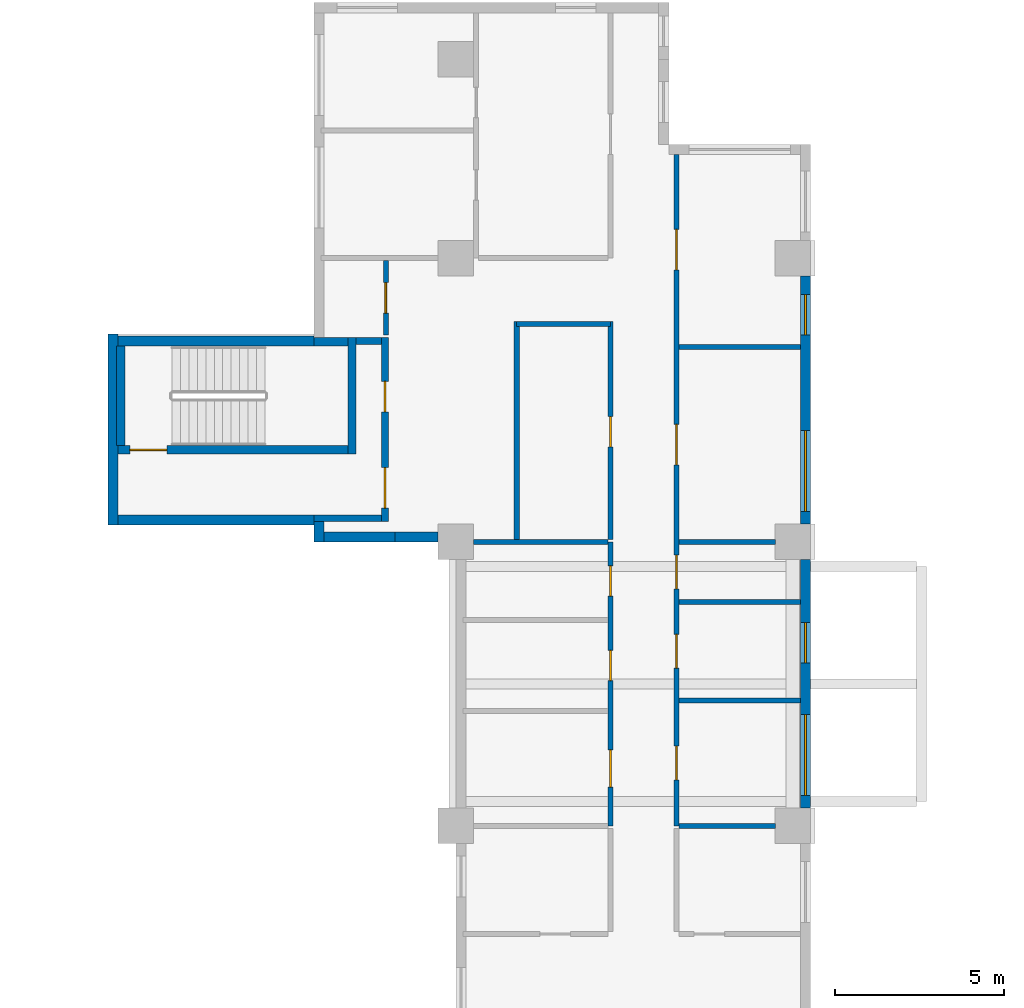
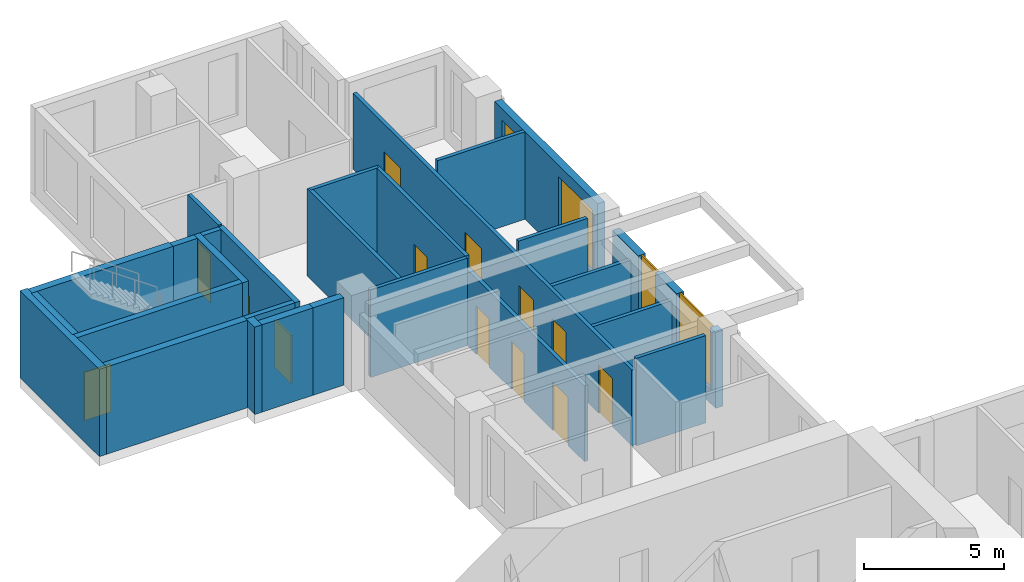
# One storey, part 6 of 14: 27 walls, 13 doors, 4 windows, 17 openings.
"""IFC4 building model written with IfcOpenShell, lengths in metres."""

from ifc_helpers import new_model, si_unit, direction, frame, frame_2d, origin, place, context, subcontext, project, spatial, rectangle, extrude, source, transform, mapped, material, layer, layer_set, type_object, element, fill, save


model = new_model("IFC4")

# Units and contexts
model_context = context("Model", 3, precision=1e-05, world=origin(), true_north=direction((0.0, 1.0)))
body_context = subcontext(model_context, "Body", "Model", "MODEL_VIEW")
ifc_project = project(units=[si_unit("LENGTHUNIT", "METRE"), si_unit("AREAUNIT", "SQUARE_METRE"), si_unit("VOLUMEUNIT", "CUBIC_METRE"), si_unit("PLANEANGLEUNIT", "RADIAN"), si_unit("MASSUNIT", "GRAM", prefix="KILO")], contexts=[model_context])

# Site, building, storey
site_placement = place(None, origin())
site = spatial("IfcSite", under=ifc_project, at=site_placement, CompositionType="ELEMENT")
building_placement = place(site_placement, origin())
building = spatial("IfcBuilding", under=site, at=building_placement, Name="Aurelian Terraces", CompositionType="ELEMENT")
storey_placement = place(building_placement, frame((0.0, 0.0, 128.7)))
storey = spatial("IfcBuildingStorey", under=building, at=storey_placement, Name="L28", CompositionType="ELEMENT", Elevation=128.7)

# Wall, openings, windows
ifc_material_1 = material(Name="Terracotta rainscreen cladding", Category="masonry")
ifc_layer_1 = layer(ifc_material_1, 0.3)
ifc_layer_set_1 = layer_set([ifc_layer_1], Name="EW-300")
wall_type_1 = type_object("IfcWallType", Name="EW-300", PredefinedType="STANDARD", material=ifc_layer_set_1)
shared_shape_1 = source(origin(), body_context, "Body", "SweptSolid", [
    extrude(rectangle(XDim=7.35, YDim=0.3, at=frame_2d((3.675, 0.0))), origin(), (0.0, 0.0, 1.0), 3.8),
])
wall_1_placement = place(storey_placement, frame((20.85, 38.325, 0.0), z_axis=(0.0, 0.0, 1.0), x_axis=(0.0, 1.0, 0.0)))
wall_1 = element("IfcWall", 1, at=wall_1_placement, inside=storey, type_object=wall_type_1, Name="External wall L28 F08.27", PredefinedType="STANDARD", context=body_context, shape_type="MappedRepresentation", body=[
    mapped(shared_shape_1, transform((0.0, 0.0, 0.0), scale=1.0)),
])
shared_shape_2 = source(origin(), body_context, "Body", "SweptSolid", [
    extrude(rectangle(XDim=2.4, YDim=2.7, at=frame_2d((1.2, 1.35))), frame((0.0, 0.16, 0.0), z_axis=(0.0, -1.0, 0.0), x_axis=(1.0, 0.0, 0.0)), (0.0, 0.0, 1.0), 0.32),
])
opening_1_placement = place(wall_1_placement, frame((0.375, 0.0, 0.6)))
opening_1 = element("IfcOpeningElement", 2, at=opening_1_placement, cuts=wall_1, Name="Opening W2427", PredefinedType="OPENING", context=body_context, shape_type="MappedRepresentation", body=[
    mapped(shared_shape_2, transform((0.0, 0.0, 0.0), scale=1.0)),
])
shared_shape_3 = source(origin(), body_context, "Body", "SweptSolid", [
    extrude(rectangle(XDim=1.2, YDim=2.7, at=frame_2d((0.6, 1.35))), frame((0.0, 0.16, 0.0), z_axis=(0.0, -1.0, 0.0), x_axis=(1.0, 0.0, 0.0)), (0.0, 0.0, 1.0), 0.32),
])
opening_2_placement = place(wall_1_placement, frame((5.5965, 0.0, 0.6)))
opening_2 = element("IfcOpeningElement", 3, at=opening_2_placement, cuts=wall_1, Name="Opening W1227", PredefinedType="OPENING", context=body_context, shape_type="MappedRepresentation", body=[
    mapped(shared_shape_3, transform((0.0, 0.0, 0.0), scale=1.0)),
])
ifc_material_2 = material(Name="Clear glazing", Category="glass")
window_type_1 = type_object("IfcWindowType", Name="W-2400x2700", PartitioningType="SINGLE_PANEL", PredefinedType="WINDOW", material=ifc_material_2)
shared_shape_4 = source(origin(), body_context, "Body", "SweptSolid", [
    extrude(rectangle(XDim=2.4, YDim=2.7, at=frame_2d((1.2, 1.35))), frame((0.0, 0.03, 0.0), z_axis=(0.0, -1.0, 0.0), x_axis=(1.0, 0.0, 0.0)), (0.0, 0.0, 1.0), 0.06),
])
window_1_placement = place(opening_1_placement, origin())
window_1 = element("IfcWindow", 4, at=window_1_placement, inside=storey, type_object=window_type_1, Name="Window L28 L28-F08-27-0", OverallHeight=2.7, OverallWidth=2.4, PartitioningType="SINGLE_PANEL", PredefinedType="WINDOW", context=body_context, shape_type="MappedRepresentation", body=[
    mapped(shared_shape_4, transform((0.0, 0.0, 0.0), scale=1.0)),
])
fill(opening_1, window_1)
window_type_2 = type_object("IfcWindowType", Name="W-1200x2700", PartitioningType="SINGLE_PANEL", PredefinedType="WINDOW", material=ifc_material_2)
shared_shape_5 = source(origin(), body_context, "Body", "SweptSolid", [
    extrude(rectangle(XDim=1.2, YDim=2.7, at=frame_2d((0.6, 1.35))), frame((0.0, 0.03, 0.0), z_axis=(0.0, -1.0, 0.0), x_axis=(1.0, 0.0, 0.0)), (0.0, 0.0, 1.0), 0.06),
])
window_2_placement = place(opening_2_placement, origin())
window_2 = element("IfcWindow", 5, at=window_2_placement, inside=storey, type_object=window_type_2, Name="Window L28 L28-F08-27-1", OverallHeight=2.7, OverallWidth=1.2, PartitioningType="SINGLE_PANEL", PredefinedType="WINDOW", context=body_context, shape_type="MappedRepresentation", body=[
    mapped(shared_shape_5, transform((0.0, 0.0, 0.0), scale=1.0)),
])
fill(opening_2, window_2)

# Walls
ifc_material_3 = material(Name="Concrete fc' 40 MPa", Category="concrete")
ifc_layer_2 = layer(ifc_material_3, 0.3)
ifc_layer_set_2 = layer_set([ifc_layer_2], Name="STAIR BAY WALL 300")
wall_type_2 = type_object("IfcWallType", Name="STAIR BAY WALL 300", PredefinedType="SOLIDWALL", material=ifc_layer_set_2)
shared_shape_6 = source(origin(), body_context, "Body", "SweptSolid", [
    extrude(rectangle(XDim=6.1, YDim=0.3, at=frame_2d((3.05, 0.0))), origin(), (0.0, 0.0, 1.0), 3.8),
])
for number, where, z_axis, x_axis, name in (
    (6, (6.3, 43.75, 0.0), (0.0, 0.0, 1.0), (-1.0, 0.0, 0.0), "Stair bay wall L28 F13.34"),
    (7, (0.2, 38.45, 0.0), (0.0, 0.0, 1.0), (1.0, 0.0, 0.0), "Stair bay wall L28 F15.36"),
):
    element("IfcWall", number, at=place(storey_placement, frame(where, z_axis=z_axis, x_axis=x_axis)), inside=storey, type_object=wall_type_2, Name=name, PredefinedType="SOLIDWALL", context=body_context, shape_type="MappedRepresentation", body=[
        mapped(shared_shape_6, transform((0.0, 0.0, 0.0), scale=1.0)),
    ])
shared_shape_7 = source(origin(), body_context, "Body", "SweptSolid", [
    extrude(rectangle(XDim=5.65, YDim=0.3, at=frame_2d((2.825, 0.0))), origin(), (0.0, 0.0, 1.0), 3.8),
])
wall_2_placement = place(storey_placement, frame((0.35, 43.95, 0.0), z_axis=(0.0, 0.0, 1.0), x_axis=(0.0, -1.0, 0.0)))
element("IfcWall", 8, at=wall_2_placement, inside=storey, type_object=wall_type_2, Name="Stair bay wall L28 F14.35", PredefinedType="SOLIDWALL", context=body_context, shape_type="MappedRepresentation", body=[
    mapped(shared_shape_7, transform((0.0, 0.0, 0.0), scale=1.0)),
])

# Wall, openings, windows
shared_shape_8 = source(origin(), body_context, "Body", "SweptSolid", [
    extrude(rectangle(XDim=7.35, YDim=0.3, at=frame_2d((3.675, 0.0))), origin(), (0.0, 0.0, 1.0), 3.3),
])
wall_3_placement = place(storey_placement, frame((20.85, 29.925, 0.0), z_axis=(0.0, 0.0, 1.0), x_axis=(0.0, 1.0, 0.0)))
wall_3 = element("IfcWall", 9, at=wall_3_placement, inside=storey, type_object=wall_type_1, Name="External wall L28 F08.26", PredefinedType="STANDARD", context=body_context, shape_type="MappedRepresentation", body=[
    mapped(shared_shape_8, transform((0.0, 0.0, 0.0), scale=1.0)),
])
opening_3_placement = place(wall_3_placement, frame((0.375, 0.0, 0.6)))
opening_3 = element("IfcOpeningElement", 10, at=opening_3_placement, cuts=wall_3, Name="Opening W2427", PredefinedType="OPENING", context=body_context, shape_type="MappedRepresentation", body=[
    mapped(shared_shape_2, transform((0.0, 0.0, 0.0), scale=1.0)),
])
opening_4_placement = place(wall_3_placement, frame((4.2933, 0.0, 0.6)))
opening_4 = element("IfcOpeningElement", 11, at=opening_4_placement, cuts=wall_3, Name="Opening W1227", PredefinedType="OPENING", context=body_context, shape_type="MappedRepresentation", body=[
    mapped(shared_shape_3, transform((0.0, 0.0, 0.0), scale=1.0)),
])
window_3_placement = place(opening_3_placement, origin())
window_3 = element("IfcWindow", 12, at=window_3_placement, inside=storey, type_object=window_type_1, Name="Window L28 L28-F08-26-0", OverallHeight=2.7, OverallWidth=2.4, PartitioningType="SINGLE_PANEL", PredefinedType="WINDOW", context=body_context, shape_type="MappedRepresentation", body=[
    mapped(shared_shape_4, transform((0.0, 0.0, 0.0), scale=1.0)),
])
fill(opening_3, window_3)
window_4_placement = place(opening_4_placement, origin())
window_4 = element("IfcWindow", 13, at=window_4_placement, inside=storey, type_object=window_type_2, Name="Window L28 L28-F08-26-G0-33", OverallHeight=2.7, OverallWidth=1.2, PartitioningType="SINGLE_PANEL", PredefinedType="WINDOW", context=body_context, shape_type="MappedRepresentation", body=[
    mapped(shared_shape_5, transform((0.0, 0.0, 0.0), scale=1.0)),
])
fill(opening_4, window_4)

# Walls
shared_shape_9 = source(origin(), body_context, "Body", "SweptSolid", [
    extrude(rectangle(XDim=0.6, YDim=0.3, at=frame_2d((0.3, 0.0))), origin(), (0.0, 0.0, 1.0), 3.8),
])
wall_4_placement = place(storey_placement, frame((6.45, 38.4, 0.0), z_axis=(0.0, 0.0, 1.0), x_axis=(0.0, -1.0, 0.0)))
element("IfcWall", 14, at=wall_4_placement, inside=storey, type_object=wall_type_1, Name="External wall L28 F16.37", PredefinedType="STANDARD", context=body_context, shape_type="MappedRepresentation", body=[
    mapped(shared_shape_9, transform((0.0, 0.0, 0.0), scale=1.0)),
])
shared_shape_10 = source(origin(), body_context, "Body", "SweptSolid", [
    extrude(rectangle(XDim=2.1, YDim=0.3, at=frame_2d((1.05, 0.0))), origin(), (0.0, 0.0, 1.0), 3.8),
])
wall_5_placement = place(storey_placement, frame((6.6, 37.95, 0.0), z_axis=(0.0, 0.0, 1.0), x_axis=(1.0, 0.0, 0.0)))
element("IfcWall", 15, at=wall_5_placement, inside=storey, type_object=wall_type_2, Name="Stair bay wall L28 F17.38", PredefinedType="SOLIDWALL", context=body_context, shape_type="MappedRepresentation", body=[
    mapped(shared_shape_10, transform((0.0, 0.0, 0.0), scale=1.0)),
])
shared_shape_11 = source(origin(), body_context, "Body", "SweptSolid", [
    extrude(rectangle(XDim=1.275, YDim=0.3, at=frame_2d((0.6375, 0.0))), origin(), (0.0, 0.0, 1.0), 3.8),
])
wall_6_placement = place(storey_placement, frame((8.7, 37.95, 0.0), z_axis=(0.0, 0.0, 1.0), x_axis=(1.0, 0.0, 0.0)))
element("IfcWall", 16, at=wall_6_placement, inside=storey, type_object=wall_type_1, Name="External wall L28 F17.38", PredefinedType="STANDARD", context=body_context, shape_type="MappedRepresentation", body=[
    mapped(shared_shape_11, transform((0.0, 0.0, 0.0), scale=1.0)),
])

# Wall, opening, door
ifc_layer_3 = layer(ifc_material_3, 0.25)
ifc_layer_set_3 = layer_set([ifc_layer_3], Name="Stair enclosure wall 250")
wall_type_3 = type_object("IfcWallType", Name="Stair enclosure wall 250", PredefinedType="SOLIDWALL", material=ifc_layer_set_3)
shared_shape_12 = source(origin(), body_context, "Body", "SweptSolid", [
    extrude(rectangle(XDim=7.0, YDim=0.25, at=frame_2d((3.5, 0.0))), origin(), (0.0, 0.0, 1.0), 3.8),
])
wall_7_placement = place(storey_placement, frame((0.3, 40.525, 0.0), z_axis=(0.0, 0.0, 1.0), x_axis=(1.0, 0.0, 0.0)))
wall_7 = element("IfcWall", 17, at=wall_7_placement, inside=storey, type_object=wall_type_3, Name="L28 core wall ST-S3-W", PredefinedType="SOLIDWALL", context=body_context, shape_type="MappedRepresentation", body=[
    mapped(shared_shape_12, transform((0.0, 0.0, 0.0), scale=1.0)),
])
shared_shape_13 = source(origin(), body_context, "Body", "SweptSolid", [
    extrude(rectangle(XDim=1.1, YDim=2.1, at=frame_2d((0.55, 1.05))), frame((0.0, 0.135, 0.0), z_axis=(0.0, -1.0, 0.0), x_axis=(1.0, 0.0, 0.0)), (0.0, 0.0, 1.0), 0.27),
])
opening_5_placement = place(wall_7_placement, frame((0.55, 0.0, 0.0)))
opening_5 = element("IfcOpeningElement", 18, at=opening_5_placement, cuts=wall_7, Name="Opening 63117", PredefinedType="OPENING", context=body_context, shape_type="MappedRepresentation", body=[
    mapped(shared_shape_13, transform((0.0, 0.0, 0.0), scale=1.0)),
])
ifc_material_4 = material(Name="Steel door leaf", Category="steel")
door_type_1 = type_object("IfcDoorType", Name="Core fire door 1100x2100", OperationType="SINGLE_SWING_LEFT", PredefinedType="DOOR", material=ifc_material_4)
shared_shape_14 = source(origin(), body_context, "Body", "SweptSolid", [
    extrude(rectangle(XDim=1.1, YDim=2.1, at=frame_2d((0.55, 1.05))), frame((0.0, 0.025, 0.0), z_axis=(0.0, -1.0, 0.0), x_axis=(1.0, 0.0, 0.0)), (0.0, 0.0, 1.0), 0.05),
])
door_1_placement = place(opening_5_placement, origin())
door_1 = element("IfcDoor", 19, at=door_1_placement, inside=storey, type_object=door_type_1, Name="Stair door 63117", OperationType="SINGLE_SWING_LEFT", OverallHeight=2.1, OverallWidth=1.1, PredefinedType="DOOR", context=body_context, shape_type="MappedRepresentation", body=[
    mapped(shared_shape_14, transform((0.0, 0.0, 0.0), scale=1.0)),
])
fill(opening_5, door_1)

# Walls
shared_shape_15 = source(origin(), body_context, "Body", "SweptSolid", [
    extrude(rectangle(XDim=3.45, YDim=0.25, at=frame_2d((1.725, 0.0))), origin(), (0.0, 0.0, 1.0), 3.8),
])
wall_8_placement = place(storey_placement, frame((7.425, 40.4, 0.0), z_axis=(0.0, 0.0, 1.0), x_axis=(0.0, 1.0, 0.0)))
element("IfcWall", 20, at=wall_8_placement, inside=storey, type_object=wall_type_3, Name="L28 core wall ST-S3-N", PredefinedType="SOLIDWALL", context=body_context, shape_type="MappedRepresentation", body=[
    mapped(shared_shape_15, transform((0.0, 0.0, 0.0), scale=1.0)),
])
shared_shape_16 = source(origin(), body_context, "Body", "SweptSolid", [
    extrude(rectangle(XDim=2.95, YDim=0.25, at=frame_2d((1.475, 0.0))), origin(), (0.0, 0.0, 1.0), 3.8),
])
wall_9_placement = place(storey_placement, frame((0.575, 40.65, 0.0), z_axis=(0.0, 0.0, 1.0), x_axis=(0.0, 1.0, 0.0)))
element("IfcWall", 21, at=wall_9_placement, inside=storey, type_object=wall_type_3, Name="L28 core wall ST-S3-SS", PredefinedType="SOLIDWALL", context=body_context, shape_type="MappedRepresentation", body=[
    mapped(shared_shape_16, transform((0.0, 0.0, 0.0), scale=1.0)),
])

# Wall, openings, doors
ifc_material_5 = material(Name="Gypsum board on steel studs", Category="steel")
ifc_layer_4 = layer(ifc_material_5, 0.2)
ifc_layer_set_4 = layer_set([ifc_layer_4], Name="Core partition 200")
wall_type_4 = type_object("IfcWallType", Name="Core partition 200", PredefinedType="PARTITIONING", material=ifc_layer_set_4)
shared_shape_17 = source(origin(), body_context, "Body", "SweptSolid", [
    extrude(rectangle(XDim=5.45, YDim=0.2, at=frame_2d((2.725, 0.0))), origin(), (0.0, 0.0, 1.0), 3.8),
])
wall_10_placement = place(storey_placement, frame((8.4, 38.4, 0.0), z_axis=(0.0, 0.0, 1.0), x_axis=(0.0, 1.0, 0.0)))
wall_10 = element("IfcWall", 22, at=wall_10_placement, inside=storey, type_object=wall_type_4, Name="L28 core wall ST-S3-BN", PredefinedType="PARTITIONING", context=body_context, shape_type="MappedRepresentation", body=[
    mapped(shared_shape_17, transform((0.0, 0.0, 0.0), scale=1.0)),
])
shared_shape_18 = source(origin(), body_context, "Body", "SweptSolid", [
    extrude(rectangle(XDim=1.2, YDim=2.1, at=frame_2d((0.6, 1.05))), frame((0.0, 0.11, 0.0), z_axis=(0.0, -1.0, 0.0), x_axis=(1.0, 0.0, 0.0)), (0.0, 0.0, 1.0), 0.22),
])
opening_6_placement = place(wall_10_placement, frame((0.4, 0.0, 0.0)))
opening_6 = element("IfcOpeningElement", 23, at=opening_6_placement, cuts=wall_10, Name="Opening 63118", PredefinedType="OPENING", context=body_context, shape_type="MappedRepresentation", body=[
    mapped(shared_shape_18, transform((0.0, 0.0, 0.0), scale=1.0)),
])
shared_shape_19 = source(origin(), body_context, "Body", "SweptSolid", [
    extrude(rectangle(XDim=0.9, YDim=2.1, at=frame_2d((0.45, 1.05))), frame((0.0, 0.11, 0.0), z_axis=(0.0, -1.0, 0.0), x_axis=(1.0, 0.0, 0.0)), (0.0, 0.0, 1.0), 0.22),
])
opening_7_placement = place(wall_10_placement, frame((3.25, 0.0, 0.0)))
opening_7 = element("IfcOpeningElement", 24, at=opening_7_placement, cuts=wall_10, Name="Opening 63119", PredefinedType="OPENING", context=body_context, shape_type="MappedRepresentation", body=[
    mapped(shared_shape_19, transform((0.0, 0.0, 0.0), scale=1.0)),
])
door_type_2 = type_object("IfcDoorType", Name="Core riser door 900x2100", OperationType="SINGLE_SWING_LEFT", PredefinedType="DOOR", material=ifc_material_4)
shared_shape_20 = source(origin(), body_context, "Body", "SweptSolid", [
    extrude(rectangle(XDim=0.9, YDim=2.1, at=frame_2d((0.45, 1.05))), frame((0.0, 0.025, 0.0), z_axis=(0.0, -1.0, 0.0), x_axis=(1.0, 0.0, 0.0)), (0.0, 0.0, 1.0), 0.05),
])
door_2_placement = place(opening_7_placement, origin())
door_2 = element("IfcDoor", 25, at=door_2_placement, inside=storey, type_object=door_type_2, Name="Riser door 63119", OperationType="SINGLE_SWING_LEFT", OverallHeight=2.1, OverallWidth=0.9, PredefinedType="DOOR", context=body_context, shape_type="MappedRepresentation", body=[
    mapped(shared_shape_20, transform((0.0, 0.0, 0.0), scale=1.0)),
])
fill(opening_7, door_2)
door_type_3 = type_object("IfcDoorType", Name="Core fire door 1200x2100 right", OperationType="SINGLE_SWING_RIGHT", PredefinedType="DOOR", material=ifc_material_4)
shared_shape_21 = source(origin(), body_context, "Body", "SweptSolid", [
    extrude(rectangle(XDim=1.2, YDim=2.1, at=frame_2d((0.6, 1.05))), frame((0.0, 0.025, 0.0), z_axis=(0.0, -1.0, 0.0), x_axis=(1.0, 0.0, 0.0)), (0.0, 0.0, 1.0), 0.05),
])
door_3_placement = place(opening_6_placement, origin())
door_3 = element("IfcDoor", 26, at=door_3_placement, inside=storey, type_object=door_type_3, Name="Vestibule door 63118", OperationType="SINGLE_SWING_RIGHT", OverallHeight=2.1, OverallWidth=1.2, PredefinedType="DOOR", context=body_context, shape_type="MappedRepresentation", body=[
    mapped(shared_shape_21, transform((0.0, 0.0, 0.0), scale=1.0)),
])
fill(opening_6, door_3)

# Walls
shared_shape_22 = source(origin(), body_context, "Body", "SweptSolid", [
    extrude(rectangle(XDim=0.75, YDim=0.2, at=frame_2d((0.375, 0.0))), origin(), (0.0, 0.0, 1.0), 3.8),
])
wall_11_placement = place(storey_placement, frame((7.55, 43.75, 0.0), z_axis=(0.0, 0.0, 1.0), x_axis=(1.0, 0.0, 0.0)))
element("IfcWall", 27, at=wall_11_placement, inside=storey, type_object=wall_type_4, Name="L28 core wall ST-S3-RE", PredefinedType="PARTITIONING", context=body_context, shape_type="MappedRepresentation", body=[
    mapped(shared_shape_22, transform((0.0, 0.0, 0.0), scale=1.0)),
])
shared_shape_23 = source(origin(), body_context, "Body", "SweptSolid", [
    extrude(rectangle(XDim=1.0, YDim=0.25, at=frame_2d((0.5, 0.0))), origin(), (0.0, 0.0, 1.0), 3.8),
])
wall_12_placement = place(storey_placement, frame((6.3, 43.725, 0.0), z_axis=(0.0, 0.0, 1.0), x_axis=(1.0, 0.0, 0.0)))
element("IfcWall", 28, at=wall_12_placement, inside=storey, type_object=wall_type_3, Name="L28 core wall ST-S3-E", PredefinedType="SOLIDWALL", context=body_context, shape_type="MappedRepresentation", body=[
    mapped(shared_shape_23, transform((0.0, 0.0, 0.0), scale=1.0)),
])
shared_shape_24 = source(origin(), body_context, "Body", "SweptSolid", [
    extrude(rectangle(XDim=2.0, YDim=0.2, at=frame_2d((1.0, 0.0))), origin(), (0.0, 0.0, 1.0), 3.8),
])
wall_13_placement = place(storey_placement, frame((6.3, 38.5, 0.0), z_axis=(0.0, 0.0, 1.0), x_axis=(1.0, 0.0, 0.0)))
element("IfcWall", 29, at=wall_13_placement, inside=storey, type_object=wall_type_4, Name="L28 core wall ST-S3-VW", PredefinedType="PARTITIONING", context=body_context, shape_type="MappedRepresentation", body=[
    mapped(shared_shape_24, transform((0.0, 0.0, 0.0), scale=1.0)),
])
ifc_layer_5 = layer(ifc_material_5, 0.15)
ifc_layer_set_5 = layer_set([ifc_layer_5], Name="Partition 150")
wall_type_5 = type_object("IfcWallType", Name="Partition 150", PredefinedType="PARTITIONING", material=ifc_layer_set_5)
shared_shape_25 = source(origin(), body_context, "Body", "SweptSolid", [
    extrude(rectangle(XDim=6.45, YDim=0.15, at=frame_2d((3.225, 0.0))), origin(), (0.0, 0.0, 1.0), 3.8),
])
wall_14_placement = place(storey_placement, frame((12.3, 44.325, 0.0), z_axis=(0.0, 0.0, 1.0), x_axis=(0.0, -1.0, 0.0)))
element("IfcWall", 30, at=wall_14_placement, inside=storey, type_object=wall_type_5, Name="Partition", PredefinedType="PARTITIONING", context=body_context, shape_type="MappedRepresentation", body=[
    mapped(shared_shape_25, transform((0.0, 0.0, 0.0), scale=1.0)),
])

# Wall, opening, door
ifc_layer_6 = layer(ifc_material_5, 0.15)
ifc_layer_set_6 = layer_set([ifc_layer_6], Name="Fire partition 150")
wall_type_6 = type_object("IfcWallType", Name="Fire partition 150", PredefinedType="PARTITIONING", material=ifc_layer_set_6)
wall_15_placement = place(storey_placement, frame((15.075, 37.875, 0.0), z_axis=(0.0, 0.0, 1.0), x_axis=(0.0, 1.0, 0.0)))
wall_15 = element("IfcWall", 31, at=wall_15_placement, inside=storey, type_object=wall_type_6, Name="Corridor wall", PredefinedType="PARTITIONING", context=body_context, shape_type="MappedRepresentation", body=[
    mapped(shared_shape_25, transform((0.0, 0.0, 0.0), scale=1.0)),
])
shared_shape_26 = source(origin(), body_context, "Body", "SweptSolid", [
    extrude(rectangle(XDim=0.9, YDim=2.1, at=frame_2d((0.45, 1.05))), frame((0.0, 0.085, 0.0), z_axis=(0.0, -1.0, 0.0), x_axis=(1.0, 0.0, 0.0)), (0.0, 0.0, 1.0), 0.17),
])
opening_8_placement = place(wall_15_placement, frame((2.7375, 0.0, 0.0)))
opening_8 = element("IfcOpeningElement", 32, at=opening_8_placement, cuts=wall_15, Name="Opening 728029", PredefinedType="OPENING", context=body_context, shape_type="MappedRepresentation", body=[
    mapped(shared_shape_26, transform((0.0, 0.0, 0.0), scale=1.0)),
])
ifc_material_6 = material(Name="Timber door leaf", Category="wood")
door_type_4 = type_object("IfcDoorType", Name="Room door 900x2100 left", OperationType="SINGLE_SWING_LEFT", PredefinedType="DOOR", material=ifc_material_6)
door_4_placement = place(opening_8_placement, origin())
door_4 = element("IfcDoor", 33, at=door_4_placement, inside=storey, type_object=door_type_4, Name="Door 728029", OperationType="SINGLE_SWING_LEFT", OverallHeight=2.1, OverallWidth=0.9, PredefinedType="DOOR", context=body_context, shape_type="MappedRepresentation", body=[
    mapped(shared_shape_20, transform((0.0, 0.0, 0.0), scale=1.0)),
])
fill(opening_8, door_4)

# Wall
shared_shape_27 = source(origin(), body_context, "Body", "SweptSolid", [
    extrude(rectangle(XDim=3.6, YDim=0.15, at=frame_2d((1.8, 0.0))), origin(), (0.0, 0.0, 1.0), 3.8),
])
wall_16_placement = place(storey_placement, frame((17.1, 43.5675, 0.0), z_axis=(0.0, 0.0, 1.0), x_axis=(1.0, 0.0, 0.0)))
element("IfcWall", 34, at=wall_16_placement, inside=storey, type_object=wall_type_5, Name="Partition", PredefinedType="PARTITIONING", context=body_context, shape_type="MappedRepresentation", body=[
    mapped(shared_shape_27, transform((0.0, 0.0, 0.0), scale=1.0)),
])

# Wall, opening, door
shared_shape_28 = source(origin(), body_context, "Body", "SweptSolid", [
    extrude(rectangle(XDim=2.2, YDim=0.15, at=frame_2d((1.1, 0.0))), origin(), (0.0, 0.0, 1.0), 3.8),
])
wall_17_placement = place(storey_placement, frame((8.425, 43.925, 0.0), z_axis=(0.0, 0.0, 1.0), x_axis=(0.0, 1.0, 0.0)))
wall_17 = element("IfcWall", 35, at=wall_17_placement, inside=storey, type_object=wall_type_5, Name="Partition", PredefinedType="PARTITIONING", context=body_context, shape_type="MappedRepresentation", body=[
    mapped(shared_shape_28, transform((0.0, 0.0, 0.0), scale=1.0)),
])
opening_9_placement = place(wall_17_placement, frame((0.65, 0.0, 0.0)))
opening_9 = element("IfcOpeningElement", 36, at=opening_9_placement, cuts=wall_17, Name="Opening 728030", PredefinedType="OPENING", context=body_context, shape_type="MappedRepresentation", body=[
    mapped(shared_shape_26, transform((0.0, 0.0, 0.0), scale=1.0)),
])
door_5_placement = place(opening_9_placement, origin())
door_5 = element("IfcDoor", 37, at=door_5_placement, inside=storey, type_object=door_type_4, Name="Door 728030", OperationType="SINGLE_SWING_LEFT", OverallHeight=2.1, OverallWidth=0.9, PredefinedType="DOOR", context=body_context, shape_type="MappedRepresentation", body=[
    mapped(shared_shape_20, transform((0.0, 0.0, 0.0), scale=1.0)),
])
fill(opening_9, door_5)

# Walls
shared_shape_29 = source(origin(), body_context, "Body", "SweptSolid", [
    extrude(rectangle(XDim=3.6, YDim=0.15, at=frame_2d((1.8, 0.0))), origin(), (0.0, 0.0, 1.0), 2.8),
])
for number, where, z_axis, x_axis, name in (
    (38, (17.1, 33.1133, 0.0), (0.0, 0.0, 1.0), (1.0, 0.0, 0.0), "Partition"),
    (39, (17.1, 36.024, 0.0), (0.0, 0.0, 1.0), (1.0, 0.0, 0.0), "Partition"),
):
    element("IfcWall", number, at=place(storey_placement, frame(where, z_axis=z_axis, x_axis=x_axis)), inside=storey, type_object=wall_type_5, Name=name, PredefinedType="PARTITIONING", context=body_context, shape_type="MappedRepresentation", body=[
        mapped(shared_shape_29, transform((0.0, 0.0, 0.0), scale=1.0)),
    ])

# Wall, openings, doors
shared_shape_30 = source(origin(), body_context, "Body", "SweptSolid", [
    extrude(rectangle(XDim=8.4, YDim=0.15, at=frame_2d((4.2, 0.0))), origin(), (0.0, 0.0, 1.0), 3.3),
])
wall_18_placement = place(storey_placement, frame((15.075, 29.4, 0.0), z_axis=(0.0, 0.0, 1.0), x_axis=(0.0, 1.0, 0.0)))
wall_18 = element("IfcWall", 40, at=wall_18_placement, inside=storey, type_object=wall_type_6, Name="Corridor wall", PredefinedType="PARTITIONING", context=body_context, shape_type="MappedRepresentation", body=[
    mapped(shared_shape_30, transform((0.0, 0.0, 0.0), scale=1.0)),
])
shared_shape_31 = source(origin(), body_context, "Body", "SweptSolid", [
    extrude(rectangle(XDim=1.1, YDim=2.1, at=frame_2d((0.55, 1.05))), frame((0.0, 0.085, 0.0), z_axis=(0.0, -1.0, 0.0), x_axis=(1.0, 0.0, 0.0)), (0.0, 0.0, 1.0), 0.17),
])
opening_10_placement = place(wall_18_placement, frame((1.1485, 0.0, 0.0)))
opening_10 = element("IfcOpeningElement", 41, at=opening_10_placement, cuts=wall_18, Name="Opening 728031", PredefinedType="OPENING", context=body_context, shape_type="MappedRepresentation", body=[
    mapped(shared_shape_31, transform((0.0, 0.0, 0.0), scale=1.0)),
])
opening_11_placement = place(wall_18_placement, frame((4.2935, 0.0, 0.0)))
opening_11 = element("IfcOpeningElement", 42, at=opening_11_placement, cuts=wall_18, Name="Opening 728032", PredefinedType="OPENING", context=body_context, shape_type="MappedRepresentation", body=[
    mapped(shared_shape_26, transform((0.0, 0.0, 0.0), scale=1.0)),
])
opening_12_placement = place(wall_18_placement, frame((6.7949, 0.0, 0.0)))
opening_12 = element("IfcOpeningElement", 43, at=opening_12_placement, cuts=wall_18, Name="Opening 728033", PredefinedType="OPENING", context=body_context, shape_type="MappedRepresentation", body=[
    mapped(shared_shape_26, transform((0.0, 0.0, 0.0), scale=1.0)),
])
door_type_5 = type_object("IfcDoorType", Name="Room door 900x2100 right", OperationType="SINGLE_SWING_RIGHT", PredefinedType="DOOR", material=ifc_material_6)
door_6_placement = place(opening_11_placement, origin())
door_6 = element("IfcDoor", 44, at=door_6_placement, inside=storey, type_object=door_type_5, Name="Door 728032", OperationType="SINGLE_SWING_RIGHT", OverallHeight=2.1, OverallWidth=0.9, PredefinedType="DOOR", context=body_context, shape_type="MappedRepresentation", body=[
    mapped(shared_shape_20, transform((0.0, 0.0, 0.0), scale=1.0)),
])
fill(opening_11, door_6)
door_7_placement = place(opening_12_placement, origin())
door_7 = element("IfcDoor", 45, at=door_7_placement, inside=storey, type_object=door_type_4, Name="Door 728033", OperationType="SINGLE_SWING_LEFT", OverallHeight=2.1, OverallWidth=0.9, PredefinedType="DOOR", context=body_context, shape_type="MappedRepresentation", body=[
    mapped(shared_shape_20, transform((0.0, 0.0, 0.0), scale=1.0)),
])
fill(opening_12, door_7)
door_type_6 = type_object("IfcDoorType", Name="Room door 1100x2100 right", OperationType="SINGLE_SWING_RIGHT", PredefinedType="DOOR", material=ifc_material_6)
door_8_placement = place(opening_10_placement, origin())
door_8 = element("IfcDoor", 46, at=door_8_placement, inside=storey, type_object=door_type_6, Name="Door 728031", OperationType="SINGLE_SWING_RIGHT", OverallHeight=2.1, OverallWidth=1.1, PredefinedType="DOOR", context=body_context, shape_type="MappedRepresentation", body=[
    mapped(shared_shape_14, transform((0.0, 0.0, 0.0), scale=1.0)),
])
fill(opening_10, door_8)

# Walls
shared_shape_32 = source(origin(), body_context, "Body", "SweptSolid", [
    extrude(rectangle(XDim=2.775, YDim=0.15, at=frame_2d((1.3875, 0.0))), origin(), (0.0, 0.0, 1.0), 3.8),
])
wall_19_placement = place(storey_placement, frame((15.075, 44.25, 0.0), z_axis=(0.0, 0.0, 1.0), x_axis=(-1.0, 0.0, 0.0)))
element("IfcWall", 47, at=wall_19_placement, inside=storey, type_object=wall_type_5, Name="Partition", PredefinedType="PARTITIONING", context=body_context, shape_type="MappedRepresentation", body=[
    mapped(shared_shape_32, transform((0.0, 0.0, 0.0), scale=1.0)),
])
shared_shape_33 = source(origin(), body_context, "Body", "SweptSolid", [
    extrude(rectangle(XDim=3.976, YDim=0.15, at=frame_2d((1.988, 0.0))), origin(), (0.0, 0.0, 1.0), 3.8),
])
wall_20_placement = place(storey_placement, frame((15.0, 37.8, 0.0), z_axis=(0.0, 0.0, 1.0), x_axis=(-1.0, 0.0, 0.0)))
element("IfcWall", 48, at=wall_20_placement, inside=storey, type_object=wall_type_5, Name="Partition", PredefinedType="PARTITIONING", context=body_context, shape_type="MappedRepresentation", body=[
    mapped(shared_shape_33, transform((0.0, 0.0, 0.0), scale=1.0)),
])
shared_shape_34 = source(origin(), body_context, "Body", "SweptSolid", [
    extrude(rectangle(XDim=2.851, YDim=0.15, at=frame_2d((1.4255, 0.0))), origin(), (0.0, 0.0, 1.0), 3.8),
])
for number, where, z_axis, x_axis, name in (
    (49, (19.951, 29.4, 0.0), (0.0, 0.0, 1.0), (-1.0, 0.0, 0.0), "Partition"),
    (50, (19.951, 37.8, 0.0), (0.0, 0.0, 1.0), (-1.0, 0.0, 0.0), "Partition"),
):
    element("IfcWall", number, at=place(storey_placement, frame(where, z_axis=z_axis, x_axis=x_axis)), inside=storey, type_object=wall_type_5, Name=name, PredefinedType="PARTITIONING", context=body_context, shape_type="MappedRepresentation", body=[
        mapped(shared_shape_34, transform((0.0, 0.0, 0.0), scale=1.0)),
    ])

# Wall, openings, doors
shared_shape_35 = source(origin(), body_context, "Body", "SweptSolid", [
    extrude(rectangle(XDim=19.86, YDim=0.15, at=frame_2d((9.93, 0.0))), origin(), (0.0, 0.0, 1.0), 3.3),
])
wall_21_placement = place(storey_placement, frame((17.025, 49.26, 0.0), z_axis=(0.0, 0.0, 1.0), x_axis=(0.0, -1.0, 0.0)))
wall_21 = element("IfcWall", 51, at=wall_21_placement, inside=storey, type_object=wall_type_6, Name="Corridor wall", PredefinedType="PARTITIONING", context=body_context, shape_type="MappedRepresentation", body=[
    mapped(shared_shape_35, transform((0.0, 0.0, 0.0), scale=1.0)),
])
shared_shape_36 = source(origin(), body_context, "Body", "SweptSolid", [
    extrude(rectangle(XDim=1.0, YDim=2.1, at=frame_2d((0.5, 1.05))), frame((0.0, 0.085, 0.0), z_axis=(0.0, -1.0, 0.0), x_axis=(1.0, 0.0, 0.0)), (0.0, 0.0, 1.0), 0.17),
])
opening_13_placement = place(wall_21_placement, frame((17.5033, 0.0, 0.0)))
opening_13 = element("IfcOpeningElement", 52, at=opening_13_placement, cuts=wall_21, Name="Opening 728037", PredefinedType="OPENING", context=body_context, shape_type="MappedRepresentation", body=[
    mapped(shared_shape_36, transform((0.0, 0.0, 0.0), scale=1.0)),
])
opening_14_placement = place(wall_21_placement, frame((14.1914, 0.0, 0.0)))
opening_14 = element("IfcOpeningElement", 53, at=opening_14_placement, cuts=wall_21, Name="Opening 728038", PredefinedType="OPENING", context=body_context, shape_type="MappedRepresentation", body=[
    mapped(shared_shape_36, transform((0.0, 0.0, 0.0), scale=1.0)),
])
opening_15_placement = place(wall_21_placement, frame((11.848, 0.0, 0.0)))
opening_15 = element("IfcOpeningElement", 54, at=opening_15_placement, cuts=wall_21, Name="Opening 728039", PredefinedType="OPENING", context=body_context, shape_type="MappedRepresentation", body=[
    mapped(shared_shape_36, transform((0.0, 0.0, 0.0), scale=1.0)),
])
shared_shape_37 = source(origin(), body_context, "Body", "SweptSolid", [
    extrude(rectangle(XDim=1.2, YDim=2.1, at=frame_2d((0.6, 1.05))), frame((0.0, 0.085, 0.0), z_axis=(0.0, -1.0, 0.0), x_axis=(1.0, 0.0, 0.0)), (0.0, 0.0, 1.0), 0.17),
])
opening_16_placement = place(wall_21_placement, frame((7.9762, 0.0, 0.0)))
opening_16 = element("IfcOpeningElement", 55, at=opening_16_placement, cuts=wall_21, Name="Opening 728040", PredefinedType="OPENING", context=body_context, shape_type="MappedRepresentation", body=[
    mapped(shared_shape_37, transform((0.0, 0.0, 0.0), scale=1.0)),
])
opening_17_placement = place(wall_21_placement, frame((2.2088, 0.0, 0.0)))
opening_17 = element("IfcOpeningElement", 56, at=opening_17_placement, cuts=wall_21, Name="Opening 728041", PredefinedType="OPENING", context=body_context, shape_type="MappedRepresentation", body=[
    mapped(shared_shape_37, transform((0.0, 0.0, 0.0), scale=1.0)),
])
door_type_7 = type_object("IfcDoorType", Name="Room door 1000x2100 right", OperationType="SINGLE_SWING_RIGHT", PredefinedType="DOOR", material=ifc_material_6)
shared_shape_38 = source(origin(), body_context, "Body", "SweptSolid", [
    extrude(rectangle(XDim=1.0, YDim=2.1, at=frame_2d((0.5, 1.05))), frame((0.0, 0.025, 0.0), z_axis=(0.0, -1.0, 0.0), x_axis=(1.0, 0.0, 0.0)), (0.0, 0.0, 1.0), 0.05),
])
door_9_placement = place(opening_13_placement, origin())
door_9 = element("IfcDoor", 57, at=door_9_placement, inside=storey, type_object=door_type_7, Name="Door 728037", OperationType="SINGLE_SWING_RIGHT", OverallHeight=2.1, OverallWidth=1.0, PredefinedType="DOOR", context=body_context, shape_type="MappedRepresentation", body=[
    mapped(shared_shape_38, transform((0.0, 0.0, 0.0), scale=1.0)),
])
fill(opening_13, door_9)
door_type_8 = type_object("IfcDoorType", Name="Room door 1000x2100 left", OperationType="SINGLE_SWING_LEFT", PredefinedType="DOOR", material=ifc_material_6)
door_10_placement = place(opening_14_placement, origin())
door_10 = element("IfcDoor", 58, at=door_10_placement, inside=storey, type_object=door_type_8, Name="Door 728038", OperationType="SINGLE_SWING_LEFT", OverallHeight=2.1, OverallWidth=1.0, PredefinedType="DOOR", context=body_context, shape_type="MappedRepresentation", body=[
    mapped(shared_shape_38, transform((0.0, 0.0, 0.0), scale=1.0)),
])
fill(opening_14, door_10)
door_11_placement = place(opening_15_placement, origin())
door_11 = element("IfcDoor", 59, at=door_11_placement, inside=storey, type_object=door_type_7, Name="Door 728039", OperationType="SINGLE_SWING_RIGHT", OverallHeight=2.1, OverallWidth=1.0, PredefinedType="DOOR", context=body_context, shape_type="MappedRepresentation", body=[
    mapped(shared_shape_38, transform((0.0, 0.0, 0.0), scale=1.0)),
])
fill(opening_15, door_11)
door_type_9 = type_object("IfcDoorType", Name="Room door 1200x2100 right", OperationType="SINGLE_SWING_RIGHT", PredefinedType="DOOR", material=ifc_material_6)
door_12_placement = place(opening_16_placement, origin())
door_12 = element("IfcDoor", 60, at=door_12_placement, inside=storey, type_object=door_type_9, Name="Door 728040", OperationType="SINGLE_SWING_RIGHT", OverallHeight=2.1, OverallWidth=1.2, PredefinedType="DOOR", context=body_context, shape_type="MappedRepresentation", body=[
    mapped(shared_shape_21, transform((0.0, 0.0, 0.0), scale=1.0)),
])
fill(opening_16, door_12)
door_type_10 = type_object("IfcDoorType", Name="Room door 1200x2100 left", OperationType="SINGLE_SWING_LEFT", PredefinedType="DOOR", material=ifc_material_6)
door_13_placement = place(opening_17_placement, origin())
door_13 = element("IfcDoor", 61, at=door_13_placement, inside=storey, type_object=door_type_10, Name="Door 728041", OperationType="SINGLE_SWING_LEFT", OverallHeight=2.1, OverallWidth=1.2, PredefinedType="DOOR", context=body_context, shape_type="MappedRepresentation", body=[
    mapped(shared_shape_21, transform((0.0, 0.0, 0.0), scale=1.0)),
])
fill(opening_17, door_13)

save(model, "model.ifc")
